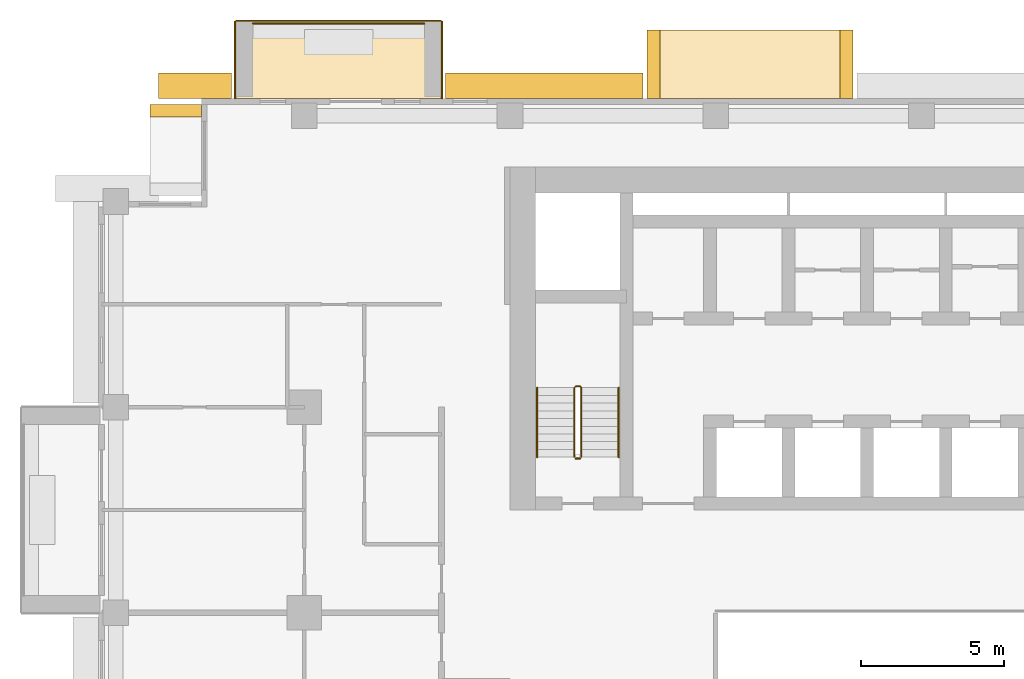
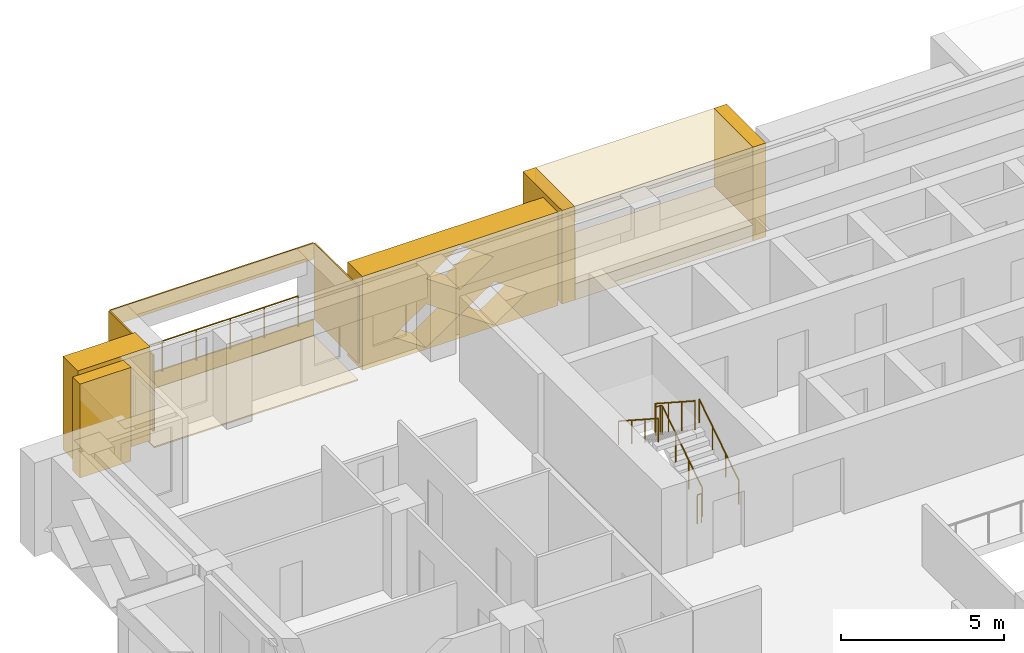
# One storey, part 15 of 17: 12 coverings, 5 railings.
"""IFC4 building model written with IfcOpenShell, lengths in metres."""

from ifc_helpers import new_model, si_unit, direction, frame, origin, origin_2d, place, context, subcontext, project, spatial, polyline, circle, outline, extrude, material, layer, layer_set, type_object, element, save


model = new_model("IFC4")

# Units and contexts
model_context = context("Model", 3, precision=1e-05, world=origin(), true_north=direction((0.0, 1.0)))
body_context = subcontext(model_context, "Body", "Model", "MODEL_VIEW")
ifc_project = project(units=[si_unit("LENGTHUNIT", "METRE"), si_unit("AREAUNIT", "SQUARE_METRE"), si_unit("VOLUMEUNIT", "CUBIC_METRE"), si_unit("PLANEANGLEUNIT", "RADIAN"), si_unit("MASSUNIT", "GRAM", prefix="KILO")], contexts=[model_context])

# Site, building, storey
site_placement = place(None, origin())
site = spatial("IfcSite", under=ifc_project, at=site_placement, CompositionType="ELEMENT")
building_placement = place(site_placement, origin())
building = spatial("IfcBuilding", under=site, at=building_placement, Name="Saffron Iwan Residences", CompositionType="ELEMENT")
storey_placement = place(building_placement, frame((0.0, 0.0, 100.5)))
storey = spatial("IfcBuildingStorey", under=building, at=storey_placement, Name="L26", CompositionType="ELEMENT", Elevation=100.5)

# Railing
ifc_material_1 = material(Name="Stainless steel 316", Category="steel")
railing_type_1 = type_object("IfcRailingType", Name="BALCONY GUARD 1150", PredefinedType="GUARDRAIL", material=ifc_material_1)
railing_1_placement = place(storey_placement, frame((25.800048828125, 83.02490234375, 0.0)))
element("IfcRailing", 1, at=railing_1_placement, inside=storey, type_object=railing_type_1, Name="Balcony guard L26 F5-3", PredefinedType="GUARDRAIL", context=body_context, shape_type="SweptSolid", body=[
    extrude(circle(Radius=0.02392578125, at=origin_2d()), frame((0.0, 0.0, 1.1259765625), z_axis=(-1.0, 0.0, 0.0), x_axis=(0.0, -1.0, 0.0)), (0.0, 0.0, 1.0), 6.0),
    extrude(circle(Radius=0.02099609375, at=origin_2d()), origin(), (0.0, 0.0, 1.0), 1.101806640625),
    extrude(circle(Radius=0.02099609375, at=origin_2d()), frame((-1.199951171875, 0.0, 0.0)), (0.0, 0.0, 1.0), 1.101806640625),
    extrude(circle(Radius=0.02099609375, at=origin_2d()), frame((-2.39990234375, 0.0, 0.0)), (0.0, 0.0, 1.0), 1.101806640625),
    extrude(circle(Radius=0.02099609375, at=origin_2d()), frame((-3.60009765625, 0.0, 0.0)), (0.0, 0.0, 1.0), 1.101806640625),
    extrude(circle(Radius=0.02099609375, at=origin_2d()), frame((-4.800048828125, 0.0, 0.0)), (0.0, 0.0, 1.0), 1.101806640625),
    extrude(circle(Radius=0.02099609375, at=origin_2d()), frame((-6.0, 0.0, 0.0)), (0.0, 0.0, 1.0), 1.101806640625),
])

# Coverings
ifc_material_2 = material(Name="Precast concrete C40/50 white painted", Category="concrete")
ifc_layer = layer(ifc_material_2, 0.050048828125)
ifc_layer_set = layer_set([ifc_layer], Name="Precast concrete C40/50 white painted")
covering_type_1 = type_object("IfcCoveringType", Name="FRAME SKIN PRECAST WHITE 50", PredefinedType="CLADDING", material=ifc_layer_set)
for number, where, name in (
    (2, (0.0, 0.0, -0.60009765625), "Frame skin slab edge L26 F5-3"),
    (3, (0.0, 0.0, 2.25), "Frame skin fascia L26 F5-3"),
):
    element("IfcCovering", number, at=place(storey_placement, frame(where)), inside=storey, type_object=covering_type_1, Name=name, PredefinedType="CLADDING", context=body_context, shape_type="SweptSolid", body=[
        extrude(outline(polyline([(26.39990234375, 83.14990234375), (19.199951171875, 83.14990234375), (19.199951171875, 83.10009765625), (26.39990234375, 83.10009765625), (26.39990234375, 83.14990234375)])), origin(), (0.0, 0.0, 1.0), 0.60009765625),
    ])
covering_1_placement = place(storey_placement, frame((0.0, 0.0, -0.64990234375)))
element("IfcCovering", 4, at=covering_1_placement, inside=storey, type_object=covering_type_1, Name="Frame skin soffit L26 F5-3", PredefinedType="CLADDING", context=body_context, shape_type="SweptSolid", body=[
    extrude(outline(polyline([(26.39990234375, 83.10009765625), (19.199951171875, 83.10009765625), (19.199951171875, 80.39990234375), (26.39990234375, 80.39990234375), (26.39990234375, 83.10009765625)])), origin(), (0.0, 0.0, 1.0), 0.0498046875),
])
covering_2_placement = place(storey_placement, origin())
element("IfcCovering", 5, at=covering_2_placement, inside=storey, type_object=covering_type_1, Name="Frame skin fin L26 F5-3a", PredefinedType="CLADDING", context=body_context, shape_type="SweptSolid", body=[
    extrude(outline(polyline([(26.449951171875, 83.10009765625), (26.39990234375, 83.10009765625), (26.39990234375, 80.39990234375), (26.449951171875, 80.39990234375), (26.449951171875, 83.10009765625)])), origin(), (0.0, 0.0, 1.0), 2.85009765625),
])
covering_3_placement = place(storey_placement, origin())
element("IfcCovering", 6, at=covering_3_placement, inside=storey, type_object=covering_type_1, Name="Frame skin fin L26 F5-3b", PredefinedType="CLADDING", context=body_context, shape_type="SweptSolid", body=[
    extrude(outline(polyline([(19.199951171875, 83.10009765625), (19.14990234375, 83.10009765625), (19.14990234375, 80.39990234375), (19.199951171875, 80.39990234375), (19.199951171875, 83.10009765625)])), origin(), (0.0, 0.0, 1.0), 2.85009765625),
])
ifc_material_3 = material(Name="Precast concrete C40/50", Category="concrete")
covering_type_2 = type_object("IfcCoveringType", Name="OUTER SKIN LATTICE SCREEN", PredefinedType="CLADDING", material=ifc_material_3)
covering_4_placement = place(storey_placement, frame((33.449951171875, 80.39990234375, -0.320068359375), z_axis=(0.0, 1.0, 0.0), x_axis=(-1.0, 0.0, 0.0)))
element("IfcCovering", 7, at=covering_4_placement, inside=storey, type_object=covering_type_2, Name="OUTER SKIN lattice screen L26 F5.3", PredefinedType="CLADDING", context=body_context, shape_type="SweptSolid", body=[
    extrude(outline(polyline([(0.0, 0.0), (6.89990234375, 0.0), (6.89990234375, 3.5), (0.0, 3.5), (0.0, 0.0)]), holes=[polyline([(1.070068359375, 0.875), (2.25, 0.06005859375), (3.429931640625, 0.875), (2.25, 1.68994140625), (1.070068359375, 0.875)]), polyline([(3.469970703125, 0.875), (4.64990234375, 0.06005859375), (5.830078125, 0.875), (4.64990234375, 1.68994140625), (3.469970703125, 0.875)]), polyline([(2.27001953125, 2.625), (3.449951171875, 1.81005859375), (4.6298828125, 2.625), (3.449951171875, 3.43994140625), (2.27001953125, 2.625)])]), origin(), (0.0, 0.0, 1.0), 0.900146484375),
])
covering_5_placement = place(storey_placement, frame((19.050048828125, 80.39990234375, -0.320068359375), z_axis=(0.0, 1.0, 0.0), x_axis=(-1.0, 0.0, 0.0)))
element("IfcCovering", 8, at=covering_5_placement, inside=storey, type_object=covering_type_2, Name="OUTER SKIN lattice screen L26 F5.4", PredefinedType="CLADDING", context=body_context, shape_type="SweptSolid", body=[
    extrude(outline(polyline([(0.0, 0.0), (2.550048828125, 0.0), (2.550048828125, 3.5), (0.0, 3.5), (0.0, 0.0)])), origin(), (0.0, 0.0, 1.0), 0.900146484375),
])

# Railings
ifc_material_4 = material(Name="Steel S355", Category="steel")
railing_type_2 = type_object("IfcRailingType", Name="Stair guard 1100", PredefinedType="GUARDRAIL", material=ifc_material_4)
railing_2_placement = place(storey_placement, frame((31.300048828125, 67.85009765625, 0.175048828125)))
element("IfcRailing", 9, at=railing_2_placement, inside=storey, type_object=railing_type_2, Name="L26 ST-W stair guard 1", PredefinedType="GUARDRAIL", context=body_context, shape_type="SweptSolid", body=[
    extrude(circle(Radius=0.02392578125, at=origin_2d()), frame((0.0, 0.0, 1.076171875), z_axis=(0.0, 0.839153699163, 0.543894354798), x_axis=(-1.0, 0.0, 0.0)), (0.0, 0.0, 1.0), 2.895751953125),
    extrude(circle(Radius=0.02392578125, at=origin_2d()), frame((0.0, 2.429931640625, 2.65087890625), z_axis=(-0.707106781187, 0.707106781187, 0.0), x_axis=(-0.707106781187, -0.707106781187, 0.0)), (0.0, 0.0, 1.0), 0.07080078125),
    extrude(circle(Radius=0.02392578125, at=origin_2d()), frame((-0.050048828125, 2.47998046875, 2.65087890625), z_axis=(-1.0, 0.0, 0.0), x_axis=(0.0, -1.0, 0.0)), (0.0, 0.0, 1.0), 0.14990234375),
    extrude(circle(Radius=0.02392578125, at=origin_2d()), frame((-0.199951171875, 2.47998046875, 2.65087890625), z_axis=(-0.265065253269, -0.265065253269, 0.927081885822), x_axis=(0.707106781187, -0.707106781187, 0.0)), (0.0, 0.0, 1.0), 0.188720703125),
    extrude(circle(Radius=0.02392578125, at=origin_2d()), frame((-0.25, 2.429931640625, 2.826171875), z_axis=(0.0, -0.839153699163, 0.543894354798), x_axis=(1.0, 0.0, 0.0)), (0.0, 0.0, 1.0), 2.895751953125),
    extrude(circle(Radius=0.02099609375, at=origin_2d()), origin(), (0.0, 0.0, 1.0), 1.052001953125),
    extrude(circle(Radius=0.02099609375, at=origin_2d()), frame((0.0, 0.81005859375, 0.52490234375)), (0.0, 0.0, 1.0), 1.052001953125),
    extrude(circle(Radius=0.02099609375, at=origin_2d()), frame((0.0, 1.619873046875, 1.050048828125)), (0.0, 0.0, 1.0), 1.052001953125),
    extrude(circle(Radius=0.02099609375, at=origin_2d()), frame((0.0, 2.429931640625, 1.574951171875)), (0.0, 0.0, 1.0), 1.052001953125),
    extrude(circle(Radius=0.02099609375, at=origin_2d()), frame((-0.050048828125, 2.47998046875, 1.574951171875)), (0.0, 0.0, 1.0), 1.052001953125),
    extrude(circle(Radius=0.02099609375, at=origin_2d()), frame((-0.199951171875, 2.47998046875, 1.574951171875)), (0.0, 0.0, 1.0), 1.052001953125),
    extrude(circle(Radius=0.02099609375, at=origin_2d()), frame((-0.25, 2.429931640625, 1.75)), (0.0, 0.0, 1.0), 1.052001953125),
    extrude(circle(Radius=0.02099609375, at=origin_2d()), frame((-0.25, 1.619873046875, 2.27490234375)), (0.0, 0.0, 1.0), 1.052001953125),
    extrude(circle(Radius=0.02099609375, at=origin_2d()), frame((-0.25, 0.81005859375, 2.800048828125)), (0.0, 0.0, 1.0), 1.052001953125),
    extrude(circle(Radius=0.02099609375, at=origin_2d()), frame((-0.25, 0.0, 3.324951171875)), (0.0, 0.0, 1.0), 1.052001953125),
])
railing_3_placement = place(storey_placement, frame((31.25, 67.800048828125, 0.0)))
element("IfcRailing", 10, at=railing_3_placement, inside=storey, type_object=railing_type_2, Name="L26 ST-W stair guard 2", PredefinedType="GUARDRAIL", context=body_context, shape_type="SweptSolid", body=[
    extrude(circle(Radius=0.02392578125, at=origin_2d()), frame((0.0, 0.0, 1.076171875), z_axis=(-1.0, 0.0, 0.0), x_axis=(0.0, -1.0, 0.0)), (0.0, 0.0, 1.0), 0.14990234375),
    extrude(circle(Radius=0.02099609375, at=origin_2d()), origin(), (0.0, 0.0, 1.0), 1.052001953125),
    extrude(circle(Radius=0.02099609375, at=origin_2d()), frame((-0.14990234375, 0.0, 0.0)), (0.0, 0.0, 1.0), 1.052001953125),
])
railing_type_3 = type_object("IfcRailingType", Name="Stair handrail 900", PredefinedType="HANDRAIL", material=ifc_material_1)
railing_4_placement = place(storey_placement, frame((32.60009765625, 67.85009765625, 0.175048828125)))
element("IfcRailing", 11, at=railing_4_placement, inside=storey, type_object=railing_type_3, Name="L26 ST-W stair handrail 1", PredefinedType="HANDRAIL", context=body_context, shape_type="SweptSolid", body=[
    extrude(circle(Radius=0.02392578125, at=origin_2d()), frame((0.0, 0.0, 0.8759765625), z_axis=(0.0, 0.839153699163, 0.543894354798), x_axis=(-1.0, 0.0, 0.0)), (0.0, 0.0, 1.0), 2.895751953125),
    extrude(circle(Radius=0.02099609375, at=origin_2d()), origin(), (0.0, 0.0, 1.0), 0.851806640625),
    extrude(circle(Radius=0.02099609375, at=origin_2d()), frame((0.0, 0.81005859375, 0.52490234375)), (0.0, 0.0, 1.0), 0.851806640625),
    extrude(circle(Radius=0.02099609375, at=origin_2d()), frame((0.0, 1.619873046875, 1.050048828125)), (0.0, 0.0, 1.0), 0.851806640625),
    extrude(circle(Radius=0.02099609375, at=origin_2d()), frame((0.0, 2.429931640625, 1.574951171875)), (0.0, 0.0, 1.0), 0.851806640625),
])
railing_5_placement = place(storey_placement, frame((29.75, 70.280029296875, 1.925048828125)))
element("IfcRailing", 12, at=railing_5_placement, inside=storey, type_object=railing_type_3, Name="L26 ST-W stair handrail 2", PredefinedType="HANDRAIL", context=body_context, shape_type="SweptSolid", body=[
    extrude(circle(Radius=0.02392578125, at=origin_2d()), frame((0.0, 0.0, 0.8759765625), z_axis=(0.0, -0.839153699163, 0.543894354798), x_axis=(1.0, 0.0, 0.0)), (0.0, 0.0, 1.0), 2.895751953125),
    extrude(circle(Radius=0.02099609375, at=origin_2d()), origin(), (0.0, 0.0, 1.0), 0.851806640625),
    extrude(circle(Radius=0.02099609375, at=origin_2d()), frame((0.0, -0.81005859375, 0.52490234375)), (0.0, 0.0, 1.0), 0.851806640625),
    extrude(circle(Radius=0.02099609375, at=origin_2d()), frame((0.0, -1.619873046875, 1.050048828125)), (0.0, 0.0, 1.0), 0.851806640625),
    extrude(circle(Radius=0.02099609375, at=origin_2d()), frame((0.0, -2.429931640625, 1.574951171875)), (0.0, 0.0, 1.0), 0.851806640625),
])

# Coverings
covering_type_3 = type_object("IfcCoveringType", Name="WHITE SUN FRAME PRECAST", PredefinedType="CLADDING", material=ifc_material_2)
for number, where, z_axis, x_axis, name in (
    (13, (40.800048828125, 80.39990234375, -0.320068359375), (0.0, 1.0, 0.0), (-1.0, 0.0, 0.0), "Sun frame L26 F5 42.0a"),
    (14, (34.050048828125, 80.39990234375, -0.320068359375), (0.0, 1.0, 0.0), (-1.0, 0.0, 0.0), "Sun frame L26 F5 42.0b"),
):
    element("IfcCovering", number, at=place(storey_placement, frame(where, z_axis=z_axis, x_axis=x_axis)), inside=storey, type_object=covering_type_3, Name=name, PredefinedType="CLADDING", context=body_context, shape_type="SweptSolid", body=[
        extrude(outline(polyline([(0.0, 0.0), (0.449951171875, 0.0), (0.449951171875, 3.5), (0.0, 3.5), (0.0, 0.0)])), origin(), (0.0, 0.0, 1.0), 2.400146484375),
    ])
for number, where, z_axis, x_axis, name in (
    (15, (40.35009765625, 80.39990234375, 2.580078125), (0.0, 1.0, 0.0), (-1.0, 0.0, 0.0), "Sun frame L26 F5 42.0h"),
    (16, (40.35009765625, 80.39990234375, -0.320068359375), (0.0, 1.0, 0.0), (-1.0, 0.0, 0.0), "Sun frame L26 F5 42.0s"),
):
    element("IfcCovering", number, at=place(storey_placement, frame(where, z_axis=z_axis, x_axis=x_axis)), inside=storey, type_object=covering_type_3, Name=name, PredefinedType="CLADDING", context=body_context, shape_type="SweptSolid", body=[
        extrude(outline(polyline([(0.0, 0.0), (6.300048828125, 0.0), (6.300048828125, 0.60009765625), (0.0, 0.60009765625), (0.0, 0.0)])), origin(), (0.0, 0.0, 1.0), 2.400146484375),
    ])
covering_6_placement = place(storey_placement, frame((18.0, 80.199951171875, -0.320068359375), z_axis=(-1.0, 0.0, 0.0), x_axis=(0.0, -1.0, 0.0)))
element("IfcCovering", 17, at=covering_6_placement, inside=storey, type_object=covering_type_3, Name="Sun frame L26 F6 0.2a", PredefinedType="CLADDING", context=body_context, shape_type="SweptSolid", body=[
    extrude(outline(polyline([(0.0, 0.0), (0.449951171875, 0.0), (0.449951171875, 3.5), (0.0, 3.5), (0.0, 0.0)])), origin(), (0.0, 0.0, 1.0), 1.800048828125),
])

save(model, "model.ifc")
